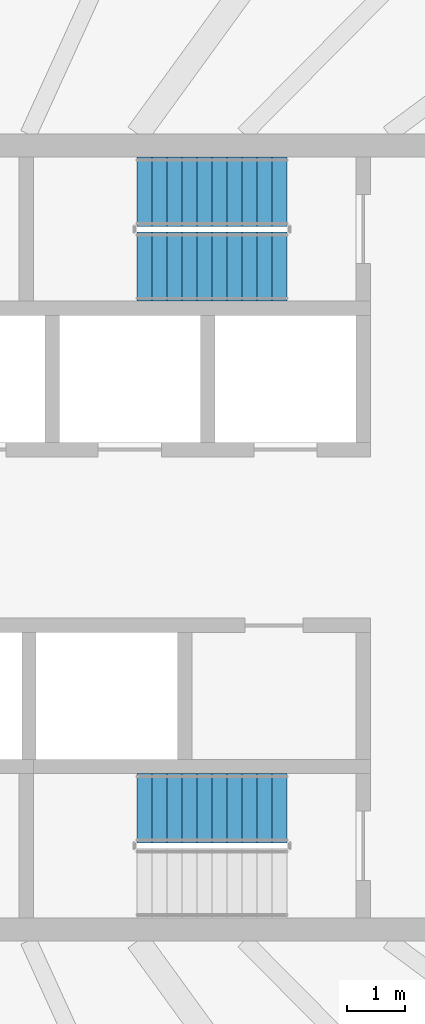
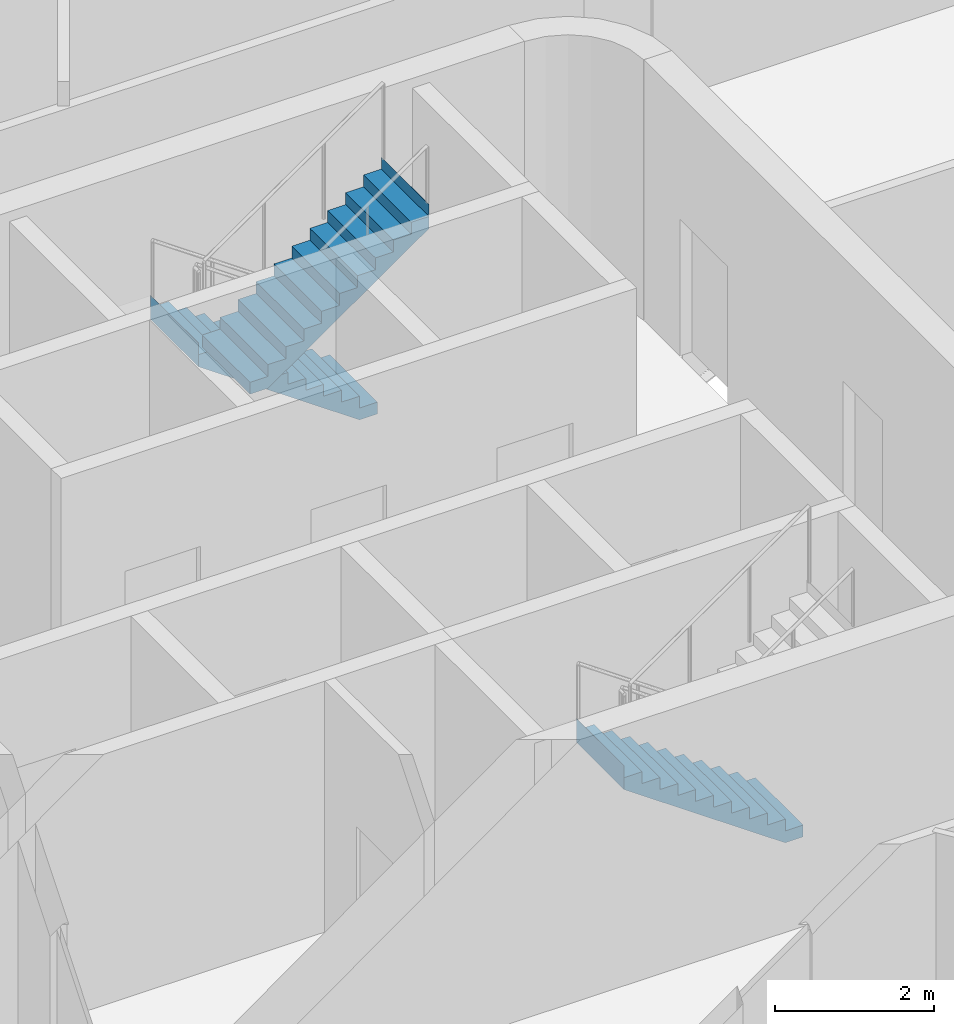
# One storey, part 14 of 20: 3 stair flights, 2 elements without a shape of their own.
"""IFC4 building model written with IfcOpenShell, lengths in metres."""

from ifc_helpers import new_model, si_unit, direction, frame, origin, place, context, subcontext, project, spatial, triangles, material, type_object, element, aggregate, save


model = new_model("IFC4")

# Units and contexts
model_context = context("Model", 3, precision=1e-05, world=origin(), true_north=direction((0.0, 1.0)))
body_context = subcontext(model_context, "Body", "Model", "MODEL_VIEW")
ifc_project = project(units=[si_unit("LENGTHUNIT", "METRE"), si_unit("AREAUNIT", "SQUARE_METRE"), si_unit("VOLUMEUNIT", "CUBIC_METRE"), si_unit("PLANEANGLEUNIT", "RADIAN"), si_unit("MASSUNIT", "GRAM", prefix="KILO")], contexts=[model_context])

# Site, building, storey
site_placement = place(None, origin())
site = spatial("IfcSite", under=ifc_project, at=site_placement, CompositionType="ELEMENT")
building_placement = place(site_placement, origin())
building = spatial("IfcBuilding", under=site, at=building_placement, Name="Sahrelin Media Tower", CompositionType="ELEMENT")
storey_placement = place(building_placement, frame((0.0, 0.0, 213.60009765625)))
storey = spatial("IfcBuildingStorey", under=building, at=storey_placement, Name="L45", CompositionType="ELEMENT", Elevation=213.60009765625)

# Stair, stair flights
ifc_material = material(Name="Concrete C40/50", Category="concrete")
stair_type = type_object("IfcStairType", Name="Exit stair 1200", PredefinedType="HALF_TURN_STAIR", material=ifc_material)
placement = place(storey_placement, origin())
stair_1 = element("IfcStair", 1, at=placement, inside=storey, type_object=stair_type, Name="L45 Exit stair ST3", PredefinedType="HALF_TURN_STAIR")
stair_flight_type = type_object("IfcStairFlightType", Name="Stair flight 1200", PredefinedType="STRAIGHT", material=ifc_material)
stair_flight_1_placement = place(storey_placement, frame((7.675048828125, 6.0, 0.0), z_axis=(0.0, 0.0, 1.0), x_axis=(-1.0, 0.0, 0.0)))
stair_flight_1 = element("IfcStairFlight", 2, at=stair_flight_1_placement, type_object=stair_flight_type, Name="ST3 flight 1", NumberOfRisers=11, NumberOfTreads=10, PredefinedType="STRAIGHT", RiserHeight=0.181818182, TreadLength=0.26, context=body_context, shape_type="Tessellation", body=[
    triangles([(0.261474609375, 0.60009765625, 0.0), (0.261474609375, 0.300048828125, 0.0), (0.261474609375, 0.0, 0.0), (0.261474609375, -0.300048828125, 0.0), (0.261474609375, -0.60009765625, 0.0), (2.60009765625, 0.60009765625, 1.63525390625), (2.60009765625, 0.300048828125, 1.63525390625), (2.60009765625, 0.0, 1.63525390625), (2.60009765625, -0.300048828125, 1.63525390625), (2.60009765625, -0.60009765625, 1.63525390625), (2.60009765625, 0.60009765625, 2.0), (2.60009765625, 0.300048828125, 2.0), (2.60009765625, 0.0, 2.0), (2.60009765625, -0.300048828125, 2.0), (2.60009765625, -0.60009765625, 2.0), (2.597900390625, 0.60009765625, 2.0), (2.597900390625, 0.300048828125, 2.0), (2.597900390625, 0.0, 2.0), (2.597900390625, -0.300048828125, 2.0), (2.597900390625, -0.60009765625, 2.0), (2.597900390625, 0.60009765625, 1.818115234375), (2.597900390625, 0.300048828125, 1.818115234375), (2.597900390625, 0.0, 1.818115234375), (2.597900390625, -0.300048828125, 1.818115234375), (2.597900390625, -0.60009765625, 1.818115234375), (2.340087890625, 0.60009765625, 1.818115234375), (2.340087890625, 0.300048828125, 1.818115234375), (2.340087890625, 0.0, 1.818115234375), (2.340087890625, -0.300048828125, 1.818115234375), (2.340087890625, -0.60009765625, 1.818115234375), (2.340087890625, 0.60009765625, 1.636474609375), (2.340087890625, 0.300048828125, 1.636474609375), (2.340087890625, 0.0, 1.636474609375), (2.340087890625, -0.300048828125, 1.636474609375), (2.340087890625, -0.60009765625, 1.636474609375), (2.080078125, 0.60009765625, 1.636474609375), (2.080078125, 0.300048828125, 1.636474609375), (2.080078125, 0.0, 1.636474609375), (2.080078125, -0.300048828125, 1.636474609375), (2.080078125, -0.60009765625, 1.636474609375), (2.080078125, 0.60009765625, 1.45458984375), (2.080078125, 0.300048828125, 1.45458984375), (2.080078125, 0.0, 1.45458984375), (2.080078125, -0.300048828125, 1.45458984375), (2.080078125, -0.60009765625, 1.45458984375), (1.820068359375, 0.60009765625, 1.45458984375), (1.820068359375, 0.300048828125, 1.45458984375), (1.820068359375, 0.0, 1.45458984375), (1.820068359375, -0.300048828125, 1.45458984375), (1.820068359375, -0.60009765625, 1.45458984375), (1.820068359375, 0.60009765625, 1.272705078125), (1.820068359375, 0.300048828125, 1.272705078125), (1.820068359375, 0.0, 1.272705078125), (1.820068359375, -0.300048828125, 1.272705078125), (1.820068359375, -0.60009765625, 1.272705078125), (1.56005859375, 0.60009765625, 1.272705078125), (1.56005859375, 0.300048828125, 1.272705078125), (1.56005859375, 0.0, 1.272705078125), (1.56005859375, -0.300048828125, 1.272705078125), (1.56005859375, -0.60009765625, 1.272705078125), (1.56005859375, 0.60009765625, 1.0908203125), (1.56005859375, 0.300048828125, 1.0908203125), (1.56005859375, 0.0, 1.0908203125), (1.56005859375, -0.300048828125, 1.0908203125), (1.56005859375, -0.60009765625, 1.0908203125), (1.300048828125, 0.60009765625, 1.0908203125), (1.300048828125, 0.300048828125, 1.0908203125), (1.300048828125, 0.0, 1.0908203125), (1.300048828125, -0.300048828125, 1.0908203125), (1.300048828125, -0.60009765625, 1.0908203125), (1.300048828125, 0.60009765625, 0.9091796875), (1.300048828125, 0.300048828125, 0.9091796875), (1.300048828125, 0.0, 0.9091796875), (1.300048828125, -0.300048828125, 0.9091796875), (1.300048828125, -0.60009765625, 0.9091796875), (1.0400390625, 0.60009765625, 0.9091796875), (1.0400390625, 0.300048828125, 0.9091796875), (1.0400390625, 0.0, 0.9091796875), (1.0400390625, -0.300048828125, 0.9091796875), (1.0400390625, -0.60009765625, 0.9091796875), (1.0400390625, 0.60009765625, 0.727294921875), (1.0400390625, 0.300048828125, 0.727294921875), (1.0400390625, 0.0, 0.727294921875), (1.0400390625, -0.300048828125, 0.727294921875), (1.0400390625, -0.60009765625, 0.727294921875), (0.780029296875, 0.60009765625, 0.727294921875), (0.780029296875, 0.300048828125, 0.727294921875), (0.780029296875, 0.0, 0.727294921875), (0.780029296875, -0.300048828125, 0.727294921875), (0.780029296875, -0.60009765625, 0.727294921875), (0.780029296875, 0.60009765625, 0.54541015625), (0.780029296875, 0.300048828125, 0.54541015625), (0.780029296875, 0.0, 0.54541015625), (0.780029296875, -0.300048828125, 0.54541015625), (0.780029296875, -0.60009765625, 0.54541015625), (0.52001953125, 0.60009765625, 0.54541015625), (0.52001953125, 0.300048828125, 0.54541015625), (0.52001953125, 0.0, 0.54541015625), (0.52001953125, -0.300048828125, 0.54541015625), (0.52001953125, -0.60009765625, 0.54541015625), (0.52001953125, 0.60009765625, 0.363525390625), (0.52001953125, 0.300048828125, 0.363525390625), (0.52001953125, 0.0, 0.363525390625), (0.52001953125, -0.300048828125, 0.363525390625), (0.52001953125, -0.60009765625, 0.363525390625), (0.260009765625, 0.60009765625, 0.363525390625), (0.260009765625, 0.300048828125, 0.363525390625), (0.260009765625, 0.0, 0.363525390625), (0.260009765625, -0.300048828125, 0.363525390625), (0.260009765625, -0.60009765625, 0.363525390625), (0.260009765625, 0.60009765625, 0.181884765625), (0.260009765625, 0.300048828125, 0.181884765625), (0.260009765625, 0.0, 0.181884765625), (0.260009765625, -0.300048828125, 0.181884765625), (0.260009765625, -0.60009765625, 0.181884765625), (0.0, 0.60009765625, 0.181884765625), (0.0, 0.300048828125, 0.181884765625), (0.0, 0.0, 0.181884765625), (0.0, -0.300048828125, 0.181884765625), (0.0, -0.60009765625, 0.181884765625), (0.0, 0.60009765625, 0.0), (0.0, 0.300048828125, 0.0), (0.0, 0.0, 0.0), (0.0, -0.300048828125, 0.0), (0.0, -0.60009765625, 0.0)], [[1, 6, 7], [1, 7, 2], [2, 7, 8], [2, 8, 3], [3, 8, 9], [3, 9, 4], [4, 9, 10], [4, 10, 5], [6, 11, 12], [6, 12, 7], [7, 12, 13], [7, 13, 8], [8, 13, 14], [8, 14, 9], [9, 14, 15], [9, 15, 10], [11, 16, 17], [11, 17, 12], [12, 17, 18], [12, 18, 13], [13, 18, 19], [13, 19, 14], [14, 19, 20], [14, 20, 15], [16, 21, 22], [16, 22, 17], [17, 22, 23], [17, 23, 18], [18, 23, 24], [18, 24, 19], [19, 24, 25], [19, 25, 20], [21, 26, 27], [21, 27, 22], [22, 27, 28], [22, 28, 23], [23, 28, 29], [23, 29, 24], [24, 29, 30], [24, 30, 25], [26, 31, 32], [26, 32, 27], [27, 32, 33], [27, 33, 28], [28, 33, 34], [28, 34, 29], [29, 34, 35], [29, 35, 30], [31, 36, 37], [31, 37, 32], [32, 37, 38], [32, 38, 33], [33, 38, 39], [33, 39, 34], [34, 39, 40], [34, 40, 35], [36, 41, 42], [36, 42, 37], [37, 42, 43], [37, 43, 38], [38, 43, 44], [38, 44, 39], [39, 44, 45], [39, 45, 40], [41, 46, 47], [41, 47, 42], [42, 47, 48], [42, 48, 43], [43, 48, 49], [43, 49, 44], [44, 49, 50], [44, 50, 45], [46, 51, 52], [46, 52, 47], [47, 52, 53], [47, 53, 48], [48, 53, 54], [48, 54, 49], [49, 54, 55], [49, 55, 50], [51, 56, 57], [51, 57, 52], [52, 57, 58], [52, 58, 53], [53, 58, 59], [53, 59, 54], [54, 59, 60], [54, 60, 55], [56, 61, 62], [56, 62, 57], [57, 62, 63], [57, 63, 58], [58, 63, 64], [58, 64, 59], [59, 64, 65], [59, 65, 60], [61, 66, 67], [61, 67, 62], [62, 67, 68], [62, 68, 63], [63, 68, 69], [63, 69, 64], [64, 69, 70], [64, 70, 65], [66, 71, 72], [66, 72, 67], [67, 72, 73], [67, 73, 68], [68, 73, 74], [68, 74, 69], [69, 74, 75], [69, 75, 70], [71, 76, 77], [71, 77, 72], [72, 77, 78], [72, 78, 73], [73, 78, 79], [73, 79, 74], [74, 79, 80], [74, 80, 75], [76, 81, 82], [76, 82, 77], [77, 82, 83], [77, 83, 78], [78, 83, 84], [78, 84, 79], [79, 84, 85], [79, 85, 80], [81, 86, 87], [81, 87, 82], [82, 87, 88], [82, 88, 83], [83, 88, 89], [83, 89, 84], [84, 89, 90], [84, 90, 85], [86, 91, 92], [86, 92, 87], [87, 92, 93], [87, 93, 88], [88, 93, 94], [88, 94, 89], [89, 94, 95], [89, 95, 90], [91, 96, 97], [91, 97, 92], [92, 97, 98], [92, 98, 93], [93, 98, 99], [93, 99, 94], [94, 99, 100], [94, 100, 95], [96, 101, 102], [96, 102, 97], [97, 102, 103], [97, 103, 98], [98, 103, 104], [98, 104, 99], [99, 104, 105], [99, 105, 100], [101, 106, 107], [101, 107, 102], [102, 107, 108], [102, 108, 103], [103, 108, 109], [103, 109, 104], [104, 109, 110], [104, 110, 105], [106, 111, 112], [106, 112, 107], [107, 112, 113], [107, 113, 108], [108, 113, 114], [108, 114, 109], [109, 114, 115], [109, 115, 110], [111, 116, 117], [111, 117, 112], [112, 117, 118], [112, 118, 113], [113, 118, 119], [113, 119, 114], [114, 119, 120], [114, 120, 115], [116, 121, 122], [116, 122, 117], [117, 122, 123], [117, 123, 118], [118, 123, 124], [118, 124, 119], [119, 124, 125], [119, 125, 120], [121, 1, 2], [121, 2, 122], [122, 2, 3], [122, 3, 123], [123, 3, 4], [123, 4, 124], [124, 4, 5], [124, 5, 125], [115, 120, 125], [111, 121, 116], [115, 105, 110], [111, 106, 101], [105, 95, 100], [101, 96, 91], [95, 85, 90], [91, 86, 81], [85, 75, 80], [81, 76, 71], [75, 65, 70], [71, 66, 61], [65, 55, 60], [61, 56, 51], [55, 45, 50], [51, 46, 41], [45, 35, 40], [41, 36, 31], [35, 25, 30], [31, 26, 21], [25, 15, 20], [21, 16, 11], [125, 5, 115], [121, 111, 1], [25, 10, 15], [21, 11, 6], [105, 115, 5], [101, 1, 111], [35, 10, 25], [31, 21, 6], [95, 105, 5], [91, 1, 101], [45, 10, 35], [41, 31, 6], [85, 95, 5], [81, 1, 91], [55, 10, 45], [51, 41, 6], [75, 85, 5], [71, 1, 81], [65, 10, 55], [61, 51, 6], [5, 10, 75], [1, 71, 6], [75, 10, 65], [71, 61, 6]], closed=True),
])
stair_flight_2_placement = place(storey_placement, frame((5.074951171875, 4.699951171875, 2.0), z_axis=(0.0, 0.0, 1.0), x_axis=(1.0, 0.0, 0.0)))
stair_flight_2 = element("IfcStairFlight", 3, at=stair_flight_2_placement, type_object=stair_flight_type, Name="ST3 flight 2", NumberOfRisers=11, NumberOfTreads=10, PredefinedType="STRAIGHT", RiserHeight=0.181818182, TreadLength=0.26, context=body_context, shape_type="Tessellation", body=[
    triangles([(0.261474609375, 0.60009765625, 0.0), (0.261474609375, 0.300048828125, 0.0), (0.261474609375, 0.0, 0.0), (0.261474609375, -0.300048828125, 0.0), (0.261474609375, -0.60009765625, 0.0), (2.60009765625, 0.60009765625, 1.63525390625), (2.60009765625, 0.300048828125, 1.63525390625), (2.60009765625, 0.0, 1.63525390625), (2.60009765625, -0.300048828125, 1.63525390625), (2.60009765625, -0.60009765625, 1.63525390625), (2.60009765625, 0.60009765625, 2.0), (2.60009765625, 0.300048828125, 2.0), (2.60009765625, 0.0, 2.0), (2.60009765625, -0.300048828125, 2.0), (2.60009765625, -0.60009765625, 2.0), (2.597900390625, 0.60009765625, 2.0), (2.597900390625, 0.300048828125, 2.0), (2.597900390625, 0.0, 2.0), (2.597900390625, -0.300048828125, 2.0), (2.597900390625, -0.60009765625, 2.0), (2.597900390625, 0.60009765625, 1.818115234375), (2.597900390625, 0.300048828125, 1.818115234375), (2.597900390625, 0.0, 1.818115234375), (2.597900390625, -0.300048828125, 1.818115234375), (2.597900390625, -0.60009765625, 1.818115234375), (2.340087890625, 0.60009765625, 1.818115234375), (2.340087890625, 0.300048828125, 1.818115234375), (2.340087890625, 0.0, 1.818115234375), (2.340087890625, -0.300048828125, 1.818115234375), (2.340087890625, -0.60009765625, 1.818115234375), (2.340087890625, 0.60009765625, 1.636474609375), (2.340087890625, 0.300048828125, 1.636474609375), (2.340087890625, 0.0, 1.636474609375), (2.340087890625, -0.300048828125, 1.636474609375), (2.340087890625, -0.60009765625, 1.636474609375), (2.080078125, 0.60009765625, 1.636474609375), (2.080078125, 0.300048828125, 1.636474609375), (2.080078125, 0.0, 1.636474609375), (2.080078125, -0.300048828125, 1.636474609375), (2.080078125, -0.60009765625, 1.636474609375), (2.080078125, 0.60009765625, 1.45458984375), (2.080078125, 0.300048828125, 1.45458984375), (2.080078125, 0.0, 1.45458984375), (2.080078125, -0.300048828125, 1.45458984375), (2.080078125, -0.60009765625, 1.45458984375), (1.820068359375, 0.60009765625, 1.45458984375), (1.820068359375, 0.300048828125, 1.45458984375), (1.820068359375, 0.0, 1.45458984375), (1.820068359375, -0.300048828125, 1.45458984375), (1.820068359375, -0.60009765625, 1.45458984375), (1.820068359375, 0.60009765625, 1.272705078125), (1.820068359375, 0.300048828125, 1.272705078125), (1.820068359375, 0.0, 1.272705078125), (1.820068359375, -0.300048828125, 1.272705078125), (1.820068359375, -0.60009765625, 1.272705078125), (1.56005859375, 0.60009765625, 1.272705078125), (1.56005859375, 0.300048828125, 1.272705078125), (1.56005859375, 0.0, 1.272705078125), (1.56005859375, -0.300048828125, 1.272705078125), (1.56005859375, -0.60009765625, 1.272705078125), (1.56005859375, 0.60009765625, 1.0908203125), (1.56005859375, 0.300048828125, 1.0908203125), (1.56005859375, 0.0, 1.0908203125), (1.56005859375, -0.300048828125, 1.0908203125), (1.56005859375, -0.60009765625, 1.0908203125), (1.300048828125, 0.60009765625, 1.0908203125), (1.300048828125, 0.300048828125, 1.0908203125), (1.300048828125, 0.0, 1.0908203125), (1.300048828125, -0.300048828125, 1.0908203125), (1.300048828125, -0.60009765625, 1.0908203125), (1.300048828125, 0.60009765625, 0.9091796875), (1.300048828125, 0.300048828125, 0.9091796875), (1.300048828125, 0.0, 0.9091796875), (1.300048828125, -0.300048828125, 0.9091796875), (1.300048828125, -0.60009765625, 0.9091796875), (1.0400390625, 0.60009765625, 0.9091796875), (1.0400390625, 0.300048828125, 0.9091796875), (1.0400390625, 0.0, 0.9091796875), (1.0400390625, -0.300048828125, 0.9091796875), (1.0400390625, -0.60009765625, 0.9091796875), (1.0400390625, 0.60009765625, 0.727294921875), (1.0400390625, 0.300048828125, 0.727294921875), (1.0400390625, 0.0, 0.727294921875), (1.0400390625, -0.300048828125, 0.727294921875), (1.0400390625, -0.60009765625, 0.727294921875), (0.780029296875, 0.60009765625, 0.727294921875), (0.780029296875, 0.300048828125, 0.727294921875), (0.780029296875, 0.0, 0.727294921875), (0.780029296875, -0.300048828125, 0.727294921875), (0.780029296875, -0.60009765625, 0.727294921875), (0.780029296875, 0.60009765625, 0.54541015625), (0.780029296875, 0.300048828125, 0.54541015625), (0.780029296875, 0.0, 0.54541015625), (0.780029296875, -0.300048828125, 0.54541015625), (0.780029296875, -0.60009765625, 0.54541015625), (0.52001953125, 0.60009765625, 0.54541015625), (0.52001953125, 0.300048828125, 0.54541015625), (0.52001953125, 0.0, 0.54541015625), (0.52001953125, -0.300048828125, 0.54541015625), (0.52001953125, -0.60009765625, 0.54541015625), (0.52001953125, 0.60009765625, 0.363525390625), (0.52001953125, 0.300048828125, 0.363525390625), (0.52001953125, 0.0, 0.363525390625), (0.52001953125, -0.300048828125, 0.363525390625), (0.52001953125, -0.60009765625, 0.363525390625), (0.260009765625, 0.60009765625, 0.363525390625), (0.260009765625, 0.300048828125, 0.363525390625), (0.260009765625, 0.0, 0.363525390625), (0.260009765625, -0.300048828125, 0.363525390625), (0.260009765625, -0.60009765625, 0.363525390625), (0.260009765625, 0.60009765625, 0.181884765625), (0.260009765625, 0.300048828125, 0.181884765625), (0.260009765625, 0.0, 0.181884765625), (0.260009765625, -0.300048828125, 0.181884765625), (0.260009765625, -0.60009765625, 0.181884765625), (0.0, 0.60009765625, 0.181884765625), (0.0, 0.300048828125, 0.181884765625), (0.0, 0.0, 0.181884765625), (0.0, -0.300048828125, 0.181884765625), (0.0, -0.60009765625, 0.181884765625), (0.0, 0.60009765625, 0.0), (0.0, 0.300048828125, 0.0), (0.0, 0.0, 0.0), (0.0, -0.300048828125, 0.0), (0.0, -0.60009765625, 0.0)], [[1, 6, 7], [1, 7, 2], [2, 7, 8], [2, 8, 3], [3, 8, 9], [3, 9, 4], [4, 9, 10], [4, 10, 5], [6, 11, 12], [6, 12, 7], [7, 12, 13], [7, 13, 8], [8, 13, 14], [8, 14, 9], [9, 14, 15], [9, 15, 10], [11, 16, 17], [11, 17, 12], [12, 17, 18], [12, 18, 13], [13, 18, 19], [13, 19, 14], [14, 19, 20], [14, 20, 15], [16, 21, 22], [16, 22, 17], [17, 22, 23], [17, 23, 18], [18, 23, 24], [18, 24, 19], [19, 24, 25], [19, 25, 20], [21, 26, 27], [21, 27, 22], [22, 27, 28], [22, 28, 23], [23, 28, 29], [23, 29, 24], [24, 29, 30], [24, 30, 25], [26, 31, 32], [26, 32, 27], [27, 32, 33], [27, 33, 28], [28, 33, 34], [28, 34, 29], [29, 34, 35], [29, 35, 30], [31, 36, 37], [31, 37, 32], [32, 37, 38], [32, 38, 33], [33, 38, 39], [33, 39, 34], [34, 39, 40], [34, 40, 35], [36, 41, 42], [36, 42, 37], [37, 42, 43], [37, 43, 38], [38, 43, 44], [38, 44, 39], [39, 44, 45], [39, 45, 40], [41, 46, 47], [41, 47, 42], [42, 47, 48], [42, 48, 43], [43, 48, 49], [43, 49, 44], [44, 49, 50], [44, 50, 45], [46, 51, 52], [46, 52, 47], [47, 52, 53], [47, 53, 48], [48, 53, 54], [48, 54, 49], [49, 54, 55], [49, 55, 50], [51, 56, 57], [51, 57, 52], [52, 57, 58], [52, 58, 53], [53, 58, 59], [53, 59, 54], [54, 59, 60], [54, 60, 55], [56, 61, 62], [56, 62, 57], [57, 62, 63], [57, 63, 58], [58, 63, 64], [58, 64, 59], [59, 64, 65], [59, 65, 60], [61, 66, 67], [61, 67, 62], [62, 67, 68], [62, 68, 63], [63, 68, 69], [63, 69, 64], [64, 69, 70], [64, 70, 65], [66, 71, 72], [66, 72, 67], [67, 72, 73], [67, 73, 68], [68, 73, 74], [68, 74, 69], [69, 74, 75], [69, 75, 70], [71, 76, 77], [71, 77, 72], [72, 77, 78], [72, 78, 73], [73, 78, 79], [73, 79, 74], [74, 79, 80], [74, 80, 75], [76, 81, 82], [76, 82, 77], [77, 82, 83], [77, 83, 78], [78, 83, 84], [78, 84, 79], [79, 84, 85], [79, 85, 80], [81, 86, 87], [81, 87, 82], [82, 87, 88], [82, 88, 83], [83, 88, 89], [83, 89, 84], [84, 89, 90], [84, 90, 85], [86, 91, 92], [86, 92, 87], [87, 92, 93], [87, 93, 88], [88, 93, 94], [88, 94, 89], [89, 94, 95], [89, 95, 90], [91, 96, 97], [91, 97, 92], [92, 97, 98], [92, 98, 93], [93, 98, 99], [93, 99, 94], [94, 99, 100], [94, 100, 95], [96, 101, 102], [96, 102, 97], [97, 102, 103], [97, 103, 98], [98, 103, 104], [98, 104, 99], [99, 104, 105], [99, 105, 100], [101, 106, 107], [101, 107, 102], [102, 107, 108], [102, 108, 103], [103, 108, 109], [103, 109, 104], [104, 109, 110], [104, 110, 105], [106, 111, 112], [106, 112, 107], [107, 112, 113], [107, 113, 108], [108, 113, 114], [108, 114, 109], [109, 114, 115], [109, 115, 110], [111, 116, 117], [111, 117, 112], [112, 117, 118], [112, 118, 113], [113, 118, 119], [113, 119, 114], [114, 119, 120], [114, 120, 115], [116, 121, 122], [116, 122, 117], [117, 122, 123], [117, 123, 118], [118, 123, 124], [118, 124, 119], [119, 124, 125], [119, 125, 120], [121, 1, 2], [121, 2, 122], [122, 2, 3], [122, 3, 123], [123, 3, 4], [123, 4, 124], [124, 4, 5], [124, 5, 125], [115, 120, 125], [111, 121, 116], [115, 105, 110], [111, 106, 101], [105, 95, 100], [101, 96, 91], [95, 85, 90], [91, 86, 81], [85, 75, 80], [81, 76, 71], [75, 65, 70], [71, 66, 61], [65, 55, 60], [61, 56, 51], [55, 45, 50], [51, 46, 41], [45, 35, 40], [41, 36, 31], [35, 25, 30], [31, 26, 21], [25, 15, 20], [21, 16, 11], [125, 5, 115], [121, 111, 1], [25, 10, 15], [21, 11, 6], [105, 115, 5], [101, 1, 111], [35, 10, 25], [31, 21, 6], [95, 105, 5], [91, 1, 101], [45, 10, 35], [41, 31, 6], [85, 95, 5], [81, 1, 91], [55, 10, 45], [51, 41, 6], [75, 85, 5], [71, 1, 81], [65, 10, 55], [61, 51, 6], [5, 10, 75], [1, 71, 6], [75, 10, 65], [71, 61, 6]], closed=True),
])
aggregate(stair_1, [stair_flight_1, stair_flight_2])

# Stair, stair flight
stair_2 = element("IfcStair", 4, at=placement, inside=storey, type_object=stair_type, Name="L45 Exit stair ST2", PredefinedType="HALF_TURN_STAIR")
stair_flight_3_placement = place(storey_placement, frame((7.675048828125, -4.699951171875, 0.0), z_axis=(0.0, 0.0, 1.0), x_axis=(-1.0, 0.0, 0.0)))
stair_flight_3 = element("IfcStairFlight", 5, at=stair_flight_3_placement, type_object=stair_flight_type, Name="ST2 flight 1", NumberOfRisers=11, NumberOfTreads=10, PredefinedType="STRAIGHT", RiserHeight=0.181818182, TreadLength=0.26, context=body_context, shape_type="Tessellation", body=[
    triangles([(0.261474609375, 0.60009765625, 0.0), (0.261474609375, 0.300048828125, 0.0), (0.261474609375, 0.0, 0.0), (0.261474609375, -0.300048828125, 0.0), (0.261474609375, -0.60009765625, 0.0), (2.60009765625, 0.60009765625, 1.63525390625), (2.60009765625, 0.300048828125, 1.63525390625), (2.60009765625, 0.0, 1.63525390625), (2.60009765625, -0.300048828125, 1.63525390625), (2.60009765625, -0.60009765625, 1.63525390625), (2.60009765625, 0.60009765625, 2.0), (2.60009765625, 0.300048828125, 2.0), (2.60009765625, 0.0, 2.0), (2.60009765625, -0.300048828125, 2.0), (2.60009765625, -0.60009765625, 2.0), (2.597900390625, 0.60009765625, 2.0), (2.597900390625, 0.300048828125, 2.0), (2.597900390625, 0.0, 2.0), (2.597900390625, -0.300048828125, 2.0), (2.597900390625, -0.60009765625, 2.0), (2.597900390625, 0.60009765625, 1.818115234375), (2.597900390625, 0.300048828125, 1.818115234375), (2.597900390625, 0.0, 1.818115234375), (2.597900390625, -0.300048828125, 1.818115234375), (2.597900390625, -0.60009765625, 1.818115234375), (2.340087890625, 0.60009765625, 1.818115234375), (2.340087890625, 0.300048828125, 1.818115234375), (2.340087890625, 0.0, 1.818115234375), (2.340087890625, -0.300048828125, 1.818115234375), (2.340087890625, -0.60009765625, 1.818115234375), (2.340087890625, 0.60009765625, 1.636474609375), (2.340087890625, 0.300048828125, 1.636474609375), (2.340087890625, 0.0, 1.636474609375), (2.340087890625, -0.300048828125, 1.636474609375), (2.340087890625, -0.60009765625, 1.636474609375), (2.080078125, 0.60009765625, 1.636474609375), (2.080078125, 0.300048828125, 1.636474609375), (2.080078125, 0.0, 1.636474609375), (2.080078125, -0.300048828125, 1.636474609375), (2.080078125, -0.60009765625, 1.636474609375), (2.080078125, 0.60009765625, 1.45458984375), (2.080078125, 0.300048828125, 1.45458984375), (2.080078125, 0.0, 1.45458984375), (2.080078125, -0.300048828125, 1.45458984375), (2.080078125, -0.60009765625, 1.45458984375), (1.820068359375, 0.60009765625, 1.45458984375), (1.820068359375, 0.300048828125, 1.45458984375), (1.820068359375, 0.0, 1.45458984375), (1.820068359375, -0.300048828125, 1.45458984375), (1.820068359375, -0.60009765625, 1.45458984375), (1.820068359375, 0.60009765625, 1.272705078125), (1.820068359375, 0.300048828125, 1.272705078125), (1.820068359375, 0.0, 1.272705078125), (1.820068359375, -0.300048828125, 1.272705078125), (1.820068359375, -0.60009765625, 1.272705078125), (1.56005859375, 0.60009765625, 1.272705078125), (1.56005859375, 0.300048828125, 1.272705078125), (1.56005859375, 0.0, 1.272705078125), (1.56005859375, -0.300048828125, 1.272705078125), (1.56005859375, -0.60009765625, 1.272705078125), (1.56005859375, 0.60009765625, 1.0908203125), (1.56005859375, 0.300048828125, 1.0908203125), (1.56005859375, 0.0, 1.0908203125), (1.56005859375, -0.300048828125, 1.0908203125), (1.56005859375, -0.60009765625, 1.0908203125), (1.300048828125, 0.60009765625, 1.0908203125), (1.300048828125, 0.300048828125, 1.0908203125), (1.300048828125, 0.0, 1.0908203125), (1.300048828125, -0.300048828125, 1.0908203125), (1.300048828125, -0.60009765625, 1.0908203125), (1.300048828125, 0.60009765625, 0.9091796875), (1.300048828125, 0.300048828125, 0.9091796875), (1.300048828125, 0.0, 0.9091796875), (1.300048828125, -0.300048828125, 0.9091796875), (1.300048828125, -0.60009765625, 0.9091796875), (1.0400390625, 0.60009765625, 0.9091796875), (1.0400390625, 0.300048828125, 0.9091796875), (1.0400390625, 0.0, 0.9091796875), (1.0400390625, -0.300048828125, 0.9091796875), (1.0400390625, -0.60009765625, 0.9091796875), (1.0400390625, 0.60009765625, 0.727294921875), (1.0400390625, 0.300048828125, 0.727294921875), (1.0400390625, 0.0, 0.727294921875), (1.0400390625, -0.300048828125, 0.727294921875), (1.0400390625, -0.60009765625, 0.727294921875), (0.780029296875, 0.60009765625, 0.727294921875), (0.780029296875, 0.300048828125, 0.727294921875), (0.780029296875, 0.0, 0.727294921875), (0.780029296875, -0.300048828125, 0.727294921875), (0.780029296875, -0.60009765625, 0.727294921875), (0.780029296875, 0.60009765625, 0.54541015625), (0.780029296875, 0.300048828125, 0.54541015625), (0.780029296875, 0.0, 0.54541015625), (0.780029296875, -0.300048828125, 0.54541015625), (0.780029296875, -0.60009765625, 0.54541015625), (0.52001953125, 0.60009765625, 0.54541015625), (0.52001953125, 0.300048828125, 0.54541015625), (0.52001953125, 0.0, 0.54541015625), (0.52001953125, -0.300048828125, 0.54541015625), (0.52001953125, -0.60009765625, 0.54541015625), (0.52001953125, 0.60009765625, 0.363525390625), (0.52001953125, 0.300048828125, 0.363525390625), (0.52001953125, 0.0, 0.363525390625), (0.52001953125, -0.300048828125, 0.363525390625), (0.52001953125, -0.60009765625, 0.363525390625), (0.260009765625, 0.60009765625, 0.363525390625), (0.260009765625, 0.300048828125, 0.363525390625), (0.260009765625, 0.0, 0.363525390625), (0.260009765625, -0.300048828125, 0.363525390625), (0.260009765625, -0.60009765625, 0.363525390625), (0.260009765625, 0.60009765625, 0.181884765625), (0.260009765625, 0.300048828125, 0.181884765625), (0.260009765625, 0.0, 0.181884765625), (0.260009765625, -0.300048828125, 0.181884765625), (0.260009765625, -0.60009765625, 0.181884765625), (0.0, 0.60009765625, 0.181884765625), (0.0, 0.300048828125, 0.181884765625), (0.0, 0.0, 0.181884765625), (0.0, -0.300048828125, 0.181884765625), (0.0, -0.60009765625, 0.181884765625), (0.0, 0.60009765625, 0.0), (0.0, 0.300048828125, 0.0), (0.0, 0.0, 0.0), (0.0, -0.300048828125, 0.0), (0.0, -0.60009765625, 0.0)], [[1, 6, 7], [1, 7, 2], [2, 7, 8], [2, 8, 3], [3, 8, 9], [3, 9, 4], [4, 9, 10], [4, 10, 5], [6, 11, 12], [6, 12, 7], [7, 12, 13], [7, 13, 8], [8, 13, 14], [8, 14, 9], [9, 14, 15], [9, 15, 10], [11, 16, 17], [11, 17, 12], [12, 17, 18], [12, 18, 13], [13, 18, 19], [13, 19, 14], [14, 19, 20], [14, 20, 15], [16, 21, 22], [16, 22, 17], [17, 22, 23], [17, 23, 18], [18, 23, 24], [18, 24, 19], [19, 24, 25], [19, 25, 20], [21, 26, 27], [21, 27, 22], [22, 27, 28], [22, 28, 23], [23, 28, 29], [23, 29, 24], [24, 29, 30], [24, 30, 25], [26, 31, 32], [26, 32, 27], [27, 32, 33], [27, 33, 28], [28, 33, 34], [28, 34, 29], [29, 34, 35], [29, 35, 30], [31, 36, 37], [31, 37, 32], [32, 37, 38], [32, 38, 33], [33, 38, 39], [33, 39, 34], [34, 39, 40], [34, 40, 35], [36, 41, 42], [36, 42, 37], [37, 42, 43], [37, 43, 38], [38, 43, 44], [38, 44, 39], [39, 44, 45], [39, 45, 40], [41, 46, 47], [41, 47, 42], [42, 47, 48], [42, 48, 43], [43, 48, 49], [43, 49, 44], [44, 49, 50], [44, 50, 45], [46, 51, 52], [46, 52, 47], [47, 52, 53], [47, 53, 48], [48, 53, 54], [48, 54, 49], [49, 54, 55], [49, 55, 50], [51, 56, 57], [51, 57, 52], [52, 57, 58], [52, 58, 53], [53, 58, 59], [53, 59, 54], [54, 59, 60], [54, 60, 55], [56, 61, 62], [56, 62, 57], [57, 62, 63], [57, 63, 58], [58, 63, 64], [58, 64, 59], [59, 64, 65], [59, 65, 60], [61, 66, 67], [61, 67, 62], [62, 67, 68], [62, 68, 63], [63, 68, 69], [63, 69, 64], [64, 69, 70], [64, 70, 65], [66, 71, 72], [66, 72, 67], [67, 72, 73], [67, 73, 68], [68, 73, 74], [68, 74, 69], [69, 74, 75], [69, 75, 70], [71, 76, 77], [71, 77, 72], [72, 77, 78], [72, 78, 73], [73, 78, 79], [73, 79, 74], [74, 79, 80], [74, 80, 75], [76, 81, 82], [76, 82, 77], [77, 82, 83], [77, 83, 78], [78, 83, 84], [78, 84, 79], [79, 84, 85], [79, 85, 80], [81, 86, 87], [81, 87, 82], [82, 87, 88], [82, 88, 83], [83, 88, 89], [83, 89, 84], [84, 89, 90], [84, 90, 85], [86, 91, 92], [86, 92, 87], [87, 92, 93], [87, 93, 88], [88, 93, 94], [88, 94, 89], [89, 94, 95], [89, 95, 90], [91, 96, 97], [91, 97, 92], [92, 97, 98], [92, 98, 93], [93, 98, 99], [93, 99, 94], [94, 99, 100], [94, 100, 95], [96, 101, 102], [96, 102, 97], [97, 102, 103], [97, 103, 98], [98, 103, 104], [98, 104, 99], [99, 104, 105], [99, 105, 100], [101, 106, 107], [101, 107, 102], [102, 107, 108], [102, 108, 103], [103, 108, 109], [103, 109, 104], [104, 109, 110], [104, 110, 105], [106, 111, 112], [106, 112, 107], [107, 112, 113], [107, 113, 108], [108, 113, 114], [108, 114, 109], [109, 114, 115], [109, 115, 110], [111, 116, 117], [111, 117, 112], [112, 117, 118], [112, 118, 113], [113, 118, 119], [113, 119, 114], [114, 119, 120], [114, 120, 115], [116, 121, 122], [116, 122, 117], [117, 122, 123], [117, 123, 118], [118, 123, 124], [118, 124, 119], [119, 124, 125], [119, 125, 120], [121, 1, 2], [121, 2, 122], [122, 2, 3], [122, 3, 123], [123, 3, 4], [123, 4, 124], [124, 4, 5], [124, 5, 125], [115, 120, 125], [111, 121, 116], [115, 105, 110], [111, 106, 101], [105, 95, 100], [101, 96, 91], [95, 85, 90], [91, 86, 81], [85, 75, 80], [81, 76, 71], [75, 65, 70], [71, 66, 61], [65, 55, 60], [61, 56, 51], [55, 45, 50], [51, 46, 41], [45, 35, 40], [41, 36, 31], [35, 25, 30], [31, 26, 21], [25, 15, 20], [21, 16, 11], [125, 5, 115], [121, 111, 1], [25, 10, 15], [21, 11, 6], [105, 115, 5], [101, 1, 111], [35, 10, 25], [31, 21, 6], [95, 105, 5], [91, 1, 101], [45, 10, 35], [41, 31, 6], [85, 95, 5], [81, 1, 91], [55, 10, 45], [51, 41, 6], [75, 85, 5], [71, 1, 81], [65, 10, 55], [61, 51, 6], [5, 10, 75], [1, 71, 6], [75, 10, 65], [71, 61, 6]], closed=True),
])
aggregate(stair_2, [stair_flight_3])

save(model, "model.ifc")
